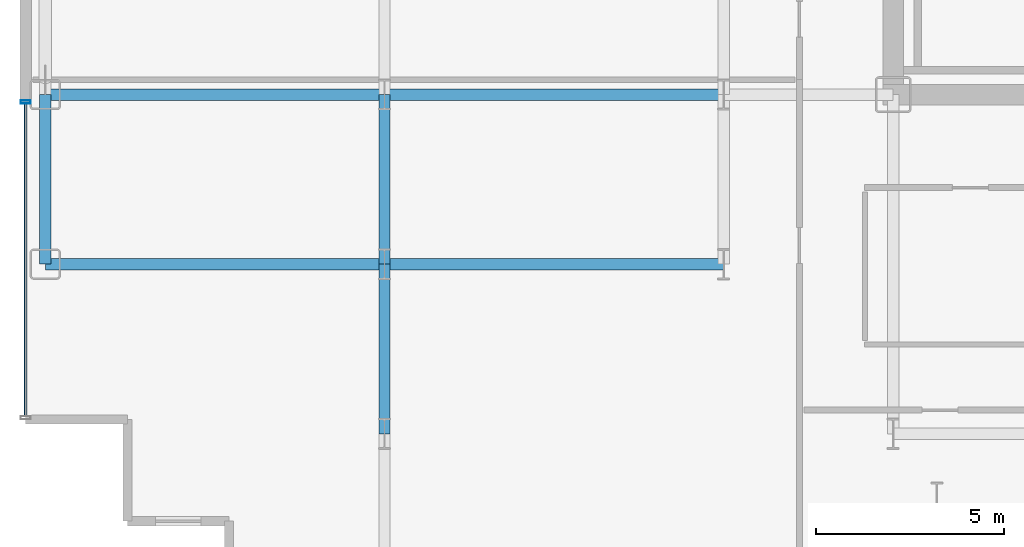
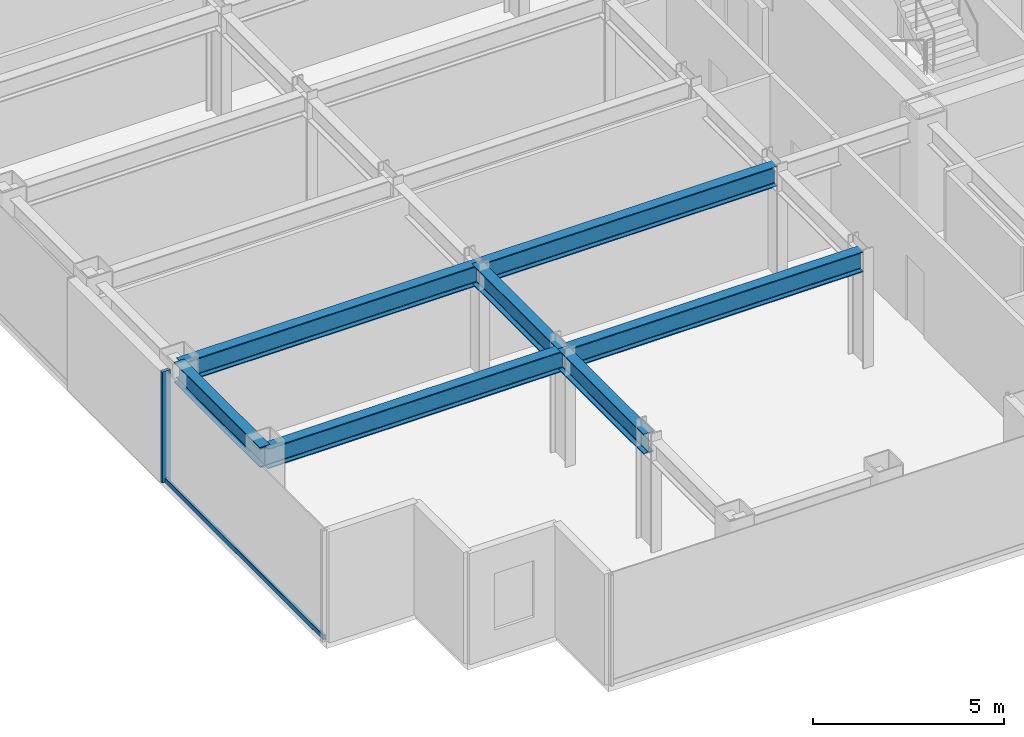
# One storey, part 4 of 27: 7 beams, 2 members, 1 element without a shape of its own.
"""IFC4 building model written with IfcOpenShell, lengths in metres."""

from ifc_helpers import new_model, si_unit, direction, frame, origin, origin_2d, place, context, subcontext, project, spatial, hollow_rectangle, i_section, extrude, source, transform, mapped, material, layer, layer_set, material_profile, profile_set, type_object, element, aggregate, save


model = new_model("IFC4")

# Units and contexts
model_context = context("Model", 3, precision=1e-05, world=origin(), true_north=direction((0.0, 1.0)))
body_context = subcontext(model_context, "Body", "Model", "MODEL_VIEW")
ifc_project = project(units=[si_unit("LENGTHUNIT", "METRE"), si_unit("AREAUNIT", "SQUARE_METRE"), si_unit("VOLUMEUNIT", "CUBIC_METRE"), si_unit("PLANEANGLEUNIT", "RADIAN"), si_unit("MASSUNIT", "GRAM", prefix="KILO")], contexts=[model_context])

# Site, building, storey
site_placement = place(None, origin())
site = spatial("IfcSite", under=ifc_project, at=site_placement, CompositionType="ELEMENT")
building_placement = place(site_placement, origin())
building = spatial("IfcBuilding", under=site, at=building_placement, Name="Nefas-Gora Pilgrimage Tower", CompositionType="ELEMENT")
storey_placement = place(building_placement, frame((0.0, 0.0, 183.0)))
storey = spatial("IfcBuildingStorey", under=building, at=storey_placement, Name="L45", CompositionType="ELEMENT", Elevation=183.0)

# Beams
ifc_material_1 = material(Name="Steel S355", Category="steel")
ifc_material_profile_1 = material_profile(ifc_material_1, i_section(OverallWidth=0.300048828125, OverallDepth=0.64990234375, WebThickness=0.01611328125, FlangeThickness=0.031005859375, FilletRadius=0.027099609375, at=origin_2d()), Name="HEB 650")
ifc_profile_set_1 = profile_set([ifc_material_profile_1], Name="Steel S355")
beam_type_1 = type_object("IfcBeamType", Name="BM-SPN-HEB500", PredefinedType="SPANDREL", material=ifc_profile_set_1)
shared_shape_1 = source(origin(), body_context, "Body", "SweptSolid", [
    extrude(i_section(OverallWidth=0.300048828125, OverallDepth=0.64990234375, WebThickness=0.01611328125, FlangeThickness=0.031005859375, FilletRadius=0.027099609375, at=origin_2d()), origin(), (0.0, 0.0, 1.0), 4.5),
])
beam_placement = place(storey_placement, frame((-33.75, -13.5, 3.22509765625), z_axis=(0.0, 1.0, 0.0), x_axis=(-1.0, 0.0, 0.0)))
element("IfcBeam", 1, at=beam_placement, inside=storey, type_object=beam_type_1, Name="L45 SP-02 beam", PredefinedType="SPANDREL", context=body_context, shape_type="MappedRepresentation", body=[
    mapped(shared_shape_1, transform((0.0, 0.0, 0.0), x_axis=(1.0, 0.0, 0.0), y_axis=(0.0, 1.0, 0.0), z_axis=(0.0, 0.0, 1.0), scale=1.0)),
])
ifc_material_profile_2 = material_profile(ifc_material_1, i_section(OverallWidth=0.300048828125, OverallDepth=0.64990234375, WebThickness=0.01611328125, FlangeThickness=0.031005859375, FilletRadius=0.027099609375, at=origin_2d()), Name="HEB 650")
ifc_profile_set_2 = profile_set([ifc_material_profile_2], Name="Steel S355")
beam_type_2 = type_object("IfcBeamType", Name="BM-GIR-HEB650", PredefinedType="BEAM", material=ifc_profile_set_2)
shared_shape_2 = source(origin(), body_context, "Body", "SweptSolid", [
    extrude(i_section(OverallWidth=0.300048828125, OverallDepth=0.64990234375, WebThickness=0.01611328125, FlangeThickness=0.031005859375, FilletRadius=0.027099609375, at=origin_2d()), origin(), (0.0, 0.0, 1.0), 9.0),
])
for number, where, z_axis, x_axis, name in (
    (2, (-33.75, -13.5, 3.22509765625), (1.0, 0.0, 0.0), (0.0, 1.0, 0.0), "L45 G-03 beam"),
    (3, (-33.75, -9.0, 3.22509765625), (1.0, 0.0, 0.0), (0.0, 1.0, 0.0), "L45 G-03 beam"),
    (4, (-24.75, -13.5, 3.22509765625), (1.0, 0.0, 0.0), (0.0, 1.0, 0.0), "L45 G-03 beam"),
    (5, (-24.75, -9.0, 3.22509765625), (1.0, 0.0, 0.0), (0.0, 1.0, 0.0), "L45 G-03 beam"),
):
    element("IfcBeam", number, at=place(storey_placement, frame(where, z_axis=z_axis, x_axis=x_axis)), inside=storey, type_object=beam_type_2, Name=name, PredefinedType="BEAM", context=body_context, shape_type="MappedRepresentation", body=[
        mapped(shared_shape_2, transform((0.0, 0.0, 0.0), x_axis=(1.0, 0.0, 0.0), y_axis=(0.0, 1.0, 0.0), z_axis=(0.0, 0.0, 1.0), scale=1.0)),
    ])
shared_shape_3 = source(origin(), body_context, "Body", "SweptSolid", [
    extrude(i_section(OverallWidth=0.300048828125, OverallDepth=0.64990234375, WebThickness=0.01611328125, FlangeThickness=0.031005859375, FilletRadius=0.027099609375, at=origin_2d()), origin(), (0.0, 0.0, 1.0), 4.5),
])
for number, where, z_axis, x_axis, name in (
    (6, (-24.75, -18.0, 3.22509765625), (0.0, 1.0, 0.0), (-1.0, 0.0, 0.0), "L45 G-03 beam"),
    (7, (-24.75, -13.5, 3.22509765625), (0.0, 1.0, 0.0), (-1.0, 0.0, 0.0), "L45 G-03 beam"),
):
    element("IfcBeam", number, at=place(storey_placement, frame(where, z_axis=z_axis, x_axis=x_axis)), inside=storey, type_object=beam_type_2, Name=name, PredefinedType="BEAM", context=body_context, shape_type="MappedRepresentation", body=[
        mapped(shared_shape_3, transform((0.0, 0.0, 0.0), x_axis=(1.0, 0.0, 0.0), y_axis=(0.0, 1.0, 0.0), z_axis=(0.0, 0.0, 1.0), scale=1.0)),
    ])

# Curtain wall, members
ifc_material_2 = material(Name="Dark ceramic-fritted solar-control aluminium-glass curtain wall", Category="aluminium")
ifc_layer = layer(ifc_material_2, 0.219970703125)
ifc_layer_set = layer_set([ifc_layer], Name="Dark ceramic-fritted solar-control aluminium-glass curtain wall")
curtain_wall_type = type_object("IfcCurtainWallType", Name="CW-SYS-3", PredefinedType="NOTDEFINED", material=ifc_layer_set)
curtain_wall_placement = place(storey_placement, origin())
curtain_wall = element("IfcCurtainWall", 8, at=curtain_wall_placement, inside=storey, type_object=curtain_wall_type, Name="L45 Unitised Curtain Wall CW3", PredefinedType="NOTDEFINED")
ifc_material_3 = material(Name="Anodised architectural aluminium", Category="aluminium")
ifc_material_profile_3 = material_profile(ifc_material_3, hollow_rectangle(XDim=0.090087890625, YDim=0.260009765625, WallThickness=0.006103515625, InnerFilletRadius=0.006103515625, OuterFilletRadius=0.011962890625, at=origin_2d()), Name="ALU MULLION 90x260")
ifc_profile_set_3 = profile_set([ifc_material_profile_3], Name="Anodised architectural aluminium")
member_type_1 = type_object("IfcMemberType", Name="CWM-MUL-3", PredefinedType="MULLION", material=ifc_profile_set_3)
shared_shape_4 = source(origin(), body_context, "Body", "SweptSolid", [
    extrude(hollow_rectangle(XDim=0.090087890625, YDim=0.260009765625, WallThickness=0.006103515625, InnerFilletRadius=0.006103515625, OuterFilletRadius=0.011962890625, at=origin_2d()), origin(), (0.0, 0.0, 1.0), 3.550048828125),
])
member_1_placement = place(storey_placement, frame((-34.27001953125, -9.195068359375, 0.0), z_axis=(0.0, 0.0, 1.0), x_axis=(0.0, -1.0, 0.0)))
member_1 = element("IfcMember", 9, at=member_1_placement, type_object=member_type_1, Name="CW3 Mullion 1", PredefinedType="MULLION", context=body_context, shape_type="MappedRepresentation", body=[
    mapped(shared_shape_4, transform((0.0, 0.0, 0.0), x_axis=(1.0, 0.0, 0.0), y_axis=(0.0, 1.0, 0.0), z_axis=(0.0, 0.0, 1.0), scale=1.0)),
])
ifc_material_profile_4 = material_profile(ifc_material_3, hollow_rectangle(XDim=0.080078125, YDim=0.159912109375, WallThickness=0.00439453125, InnerFilletRadius=0.00439453125, OuterFilletRadius=0.009033203125, at=origin_2d()), Name="ALU TRANSOM 80x160")
ifc_profile_set_4 = profile_set([ifc_material_profile_4], Name="Anodised architectural aluminium")
member_type_2 = type_object("IfcMemberType", Name="CWM-TRN-3", PredefinedType="USERDEFINED", material=ifc_profile_set_4)
shared_shape_5 = source(origin(), body_context, "Body", "SweptSolid", [
    extrude(hollow_rectangle(XDim=0.080078125, YDim=0.159912109375, WallThickness=0.00439453125, InnerFilletRadius=0.00439453125, OuterFilletRadius=0.009033203125, at=origin_2d()), origin(), (0.0, 0.0, 1.0), 8.2900390625),
])
member_2_placement = place(storey_placement, frame((-34.27001953125, -9.239990234375, 0.050048828125), z_axis=(0.0, -1.0, 0.0), x_axis=(1.0, 0.0, 0.0)))
member_2 = element("IfcMember", 10, at=member_2_placement, type_object=member_type_2, Name="CW3 Spandrel Transom", ObjectType="TRANSOM", PredefinedType="USERDEFINED", context=body_context, shape_type="MappedRepresentation", body=[
    mapped(shared_shape_5, transform((0.0, 0.0, 0.0), x_axis=(1.0, 0.0, 0.0), y_axis=(0.0, 1.0, 0.0), z_axis=(0.0, 0.0, 1.0), scale=1.0)),
])
aggregate(curtain_wall, [member_1, member_2])

save(model, "model.ifc")
